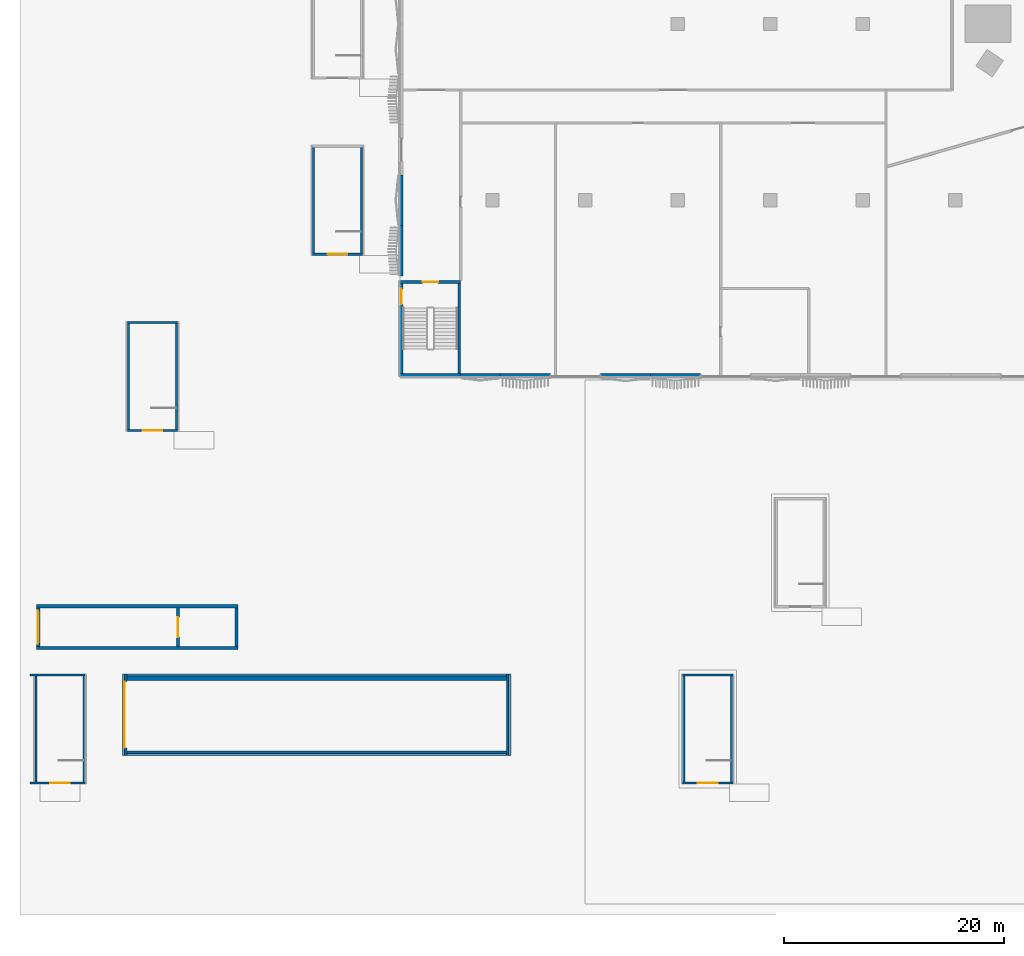
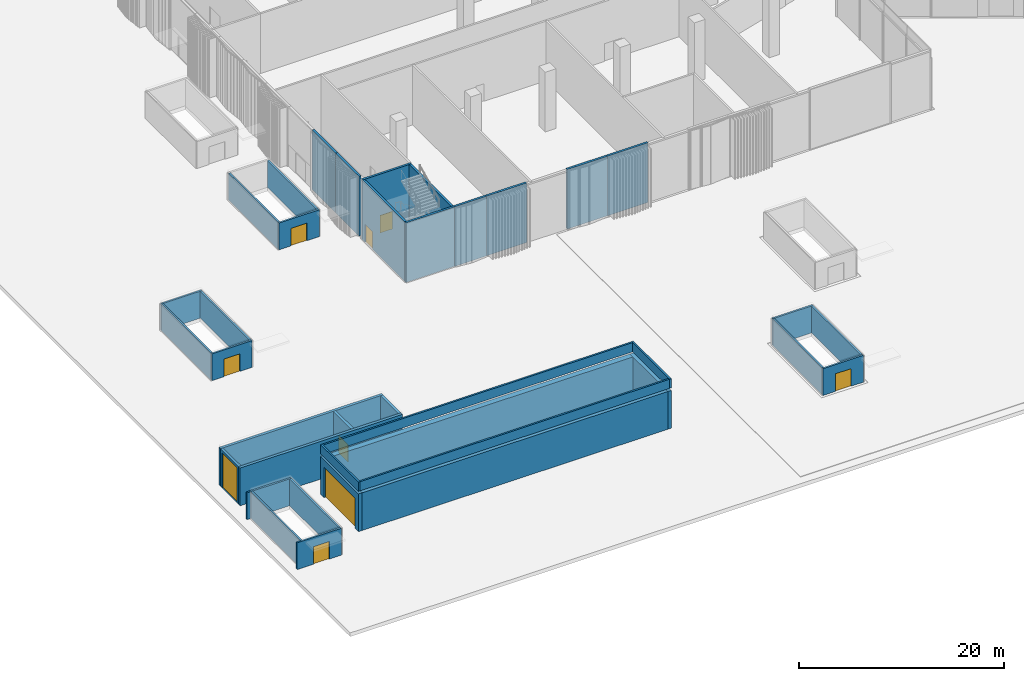
# One storey, part 12 of 41: 38 walls, 9 doors, 9 openings.
"""IFC4 building model written with IfcOpenShell, lengths in metres."""

from ifc_helpers import new_model, si_unit, direction, frame, frame_2d, origin, place, context, subcontext, project, spatial, rectangle, extrude, material, layer, layer_set, type_object, element, fill, save


model = new_model("IFC4")

# Units and contexts
model_context = context("Model", 3, precision=1e-05, world=origin(), true_north=direction((0.0, 1.0)))
body_context = subcontext(model_context, "Body", "Model", "MODEL_VIEW")
ifc_project = project(units=[si_unit("LENGTHUNIT", "METRE"), si_unit("AREAUNIT", "SQUARE_METRE"), si_unit("VOLUMEUNIT", "CUBIC_METRE"), si_unit("PLANEANGLEUNIT", "RADIAN"), si_unit("MASSUNIT", "GRAM", prefix="KILO")], contexts=[model_context])

# Site, building, storey
site_placement = place(None, origin())
site = spatial("IfcSite", under=ifc_project, at=site_placement, CompositionType="ELEMENT")
building_placement = place(site_placement, origin())
building = spatial("IfcBuilding", under=site, at=building_placement, Name="Tamra Quay Hotel Tower", CompositionType="ELEMENT")
storey_placement = place(building_placement, origin())
storey = spatial("IfcBuildingStorey", under=building, at=storey_placement, Name="L00", CompositionType="ELEMENT", Elevation=0.0)

# Walls
ifc_material_1 = material(Name="Concrete M60", Category="concrete")
ifc_layer_1 = layer(ifc_material_1, 0.300048828125)
ifc_layer_set_1 = layer_set([ifc_layer_1], Name="Concrete M60 loading wall 300")
wall_type_1 = type_object("IfcWallType", Name="Concrete M60 loading wall 300", PredefinedType="SOLIDWALL", material=ifc_layer_set_1)
for number, where, z_axis, x_axis, name in (
    (1, (-122.10009765625, -56.64990234375, 0.0), (0.0, 0.0, 1.0), (1.0, 0.0, 0.0), "LW3"),
    (2, (-122.10009765625, -52.85009765625, 0.0), (0.0, 0.0, 1.0), (1.0, 0.0, 0.0), "LW3"),
):
    element("IfcWall", number, at=place(storey_placement, frame(where, z_axis=z_axis, x_axis=x_axis)), inside=storey, type_object=wall_type_1, Name=name, PredefinedType="SOLIDWALL", context=body_context, shape_type="SweptSolid", body=[
        extrude(rectangle(XDim=18.300048828125, YDim=0.300048828125, at=frame_2d((9.14990234375, 0.0))), origin(), (0.0, 0.0, 1.0), 4.5),
    ])

# Wall, opening, door
wall_1_placement = place(storey_placement, frame((-121.949951171875, -56.5, 0.0), z_axis=(0.0, 0.0, 1.0), x_axis=(0.0, 1.0, 0.0)))
wall_1 = element("IfcWall", 3, at=wall_1_placement, inside=storey, type_object=wall_type_1, Name="LW3", PredefinedType="SOLIDWALL", context=body_context, shape_type="SweptSolid", body=[
    extrude(rectangle(XDim=3.5, YDim=0.300048828125, at=frame_2d((1.75, 0.0))), origin(), (0.0, 0.0, 1.0), 4.5),
])
opening_1_placement = place(wall_1_placement, frame((0.25, 0.0, 0.0)))
opening_1 = element("IfcOpeningElement", 4, at=opening_1_placement, cuts=wall_1, Name="Opening LD1", PredefinedType="OPENING", context=body_context, shape_type="SweptSolid", body=[
    extrude(rectangle(XDim=3.0, YDim=4.199951171875, at=frame_2d((1.5, 2.10009765625))), frame((0.0, 0.159912109375, 0.0), z_axis=(0.0, -1.0, 0.0), x_axis=(1.0, 0.0, 0.0)), (0.0, 0.0, 1.0), 0.320068359375),
])
ifc_material_2 = material(Name="Loading bay door 3000 x 4200")
door_type_1 = type_object("IfcDoorType", Name="Loading bay door 3000 x 4200", OperationType="ROLLINGUP", PredefinedType="DOOR", material=ifc_material_2)
door_1_placement = place(opening_1_placement, origin())
door_1 = element("IfcDoor", 5, at=door_1_placement, inside=storey, type_object=door_type_1, Name="LD1", OperationType="ROLLINGUP", OverallHeight=4.199951171875, OverallWidth=3.0, PredefinedType="DOOR", context=body_context, shape_type="SweptSolid", body=[
    extrude(rectangle(XDim=3.0, YDim=4.199951171875, at=frame_2d((1.5, 2.10009765625))), frame((0.0, 0.02490234375, 0.0), z_axis=(0.0, -1.0, 0.0), x_axis=(1.0, 0.0, 0.0)), (0.0, 0.0, 1.0), 0.050048828125),
])
fill(opening_1, door_1)

wall_2_placement = place(storey_placement, frame((-109.25, -56.5, 0.0), z_axis=(0.0, 0.0, 1.0), x_axis=(0.0, 1.0, 0.0)))
wall_2 = element("IfcWall", 6, at=wall_2_placement, inside=storey, type_object=wall_type_1, Name="LW3", PredefinedType="SOLIDWALL", context=body_context, shape_type="SweptSolid", body=[
    extrude(rectangle(XDim=3.5, YDim=0.300048828125, at=frame_2d((1.75, 0.0))), origin(), (0.0, 0.0, 1.0), 4.5),
])
opening_2_placement = place(wall_2_placement, frame((0.85009765625, 0.0, 0.0)))
opening_2 = element("IfcOpeningElement", 7, at=opening_2_placement, cuts=wall_2, Name="Opening PD2", PredefinedType="OPENING", context=body_context, shape_type="SweptSolid", body=[
    extrude(rectangle(XDim=1.800048828125, YDim=2.10009765625, at=frame_2d((0.89990234375, 1.050048828125))), frame((0.0, 0.159912109375, 0.0), z_axis=(0.0, -1.0, 0.0), x_axis=(1.0, 0.0, 0.0)), (0.0, 0.0, 1.0), 0.320068359375),
])
ifc_material_3 = material(Name="Plant door 1800 x 2100")
door_type_2 = type_object("IfcDoorType", Name="Plant door 1800 x 2100", OperationType="DOUBLE_DOOR_SINGLE_SWING", PredefinedType="DOOR", material=ifc_material_3)
door_2_placement = place(opening_2_placement, origin())
door_2 = element("IfcDoor", 8, at=door_2_placement, inside=storey, type_object=door_type_2, Name="PD2", OperationType="DOUBLE_DOOR_SINGLE_SWING", OverallHeight=2.10009765625, OverallWidth=1.800048828125, PredefinedType="DOOR", context=body_context, shape_type="SweptSolid", body=[
    extrude(rectangle(XDim=1.800048828125, YDim=2.10009765625, at=frame_2d((0.89990234375, 1.050048828125))), frame((0.0, 0.02490234375, 0.0), z_axis=(0.0, -1.0, 0.0), x_axis=(1.0, 0.0, 0.0)), (0.0, 0.0, 1.0), 0.050048828125),
])
fill(opening_2, door_2)

# Wall
wall_3_placement = place(storey_placement, frame((-103.949951171875, -56.5, 0.0), z_axis=(0.0, 0.0, 1.0), x_axis=(0.0, 1.0, 0.0)))
element("IfcWall", 9, at=wall_3_placement, inside=storey, type_object=wall_type_1, Name="LW3", PredefinedType="SOLIDWALL", context=body_context, shape_type="SweptSolid", body=[
    extrude(rectangle(XDim=3.5, YDim=0.300048828125, at=frame_2d((1.75, 0.0))), origin(), (0.0, 0.0, 1.0), 4.5),
])

# Wall, opening, door
ifc_layer_2 = layer(ifc_material_1, 0.39990234375)
ifc_layer_set_2 = layer_set([ifc_layer_2], Name="Concrete M60 ramp kerb wall 400")
wall_type_2 = type_object("IfcWallType", Name="Concrete M60 ramp kerb wall 400", PredefinedType="SOLIDWALL", material=ifc_layer_set_2)
wall_4_placement = place(storey_placement, frame((-114.10009765625, -66.39990234375, 0.0), z_axis=(0.0, 0.0, 1.0), x_axis=(0.0, 1.0, 0.0)))
wall_4 = element("IfcWall", 10, at=wall_4_placement, inside=storey, type_object=wall_type_2, Name="RW4", PredefinedType="SOLIDWALL", context=body_context, shape_type="SweptSolid", body=[
    extrude(rectangle(XDim=7.39990234375, YDim=0.39990234375, at=frame_2d((3.699951171875, 0.0))), origin(), (0.0, 0.0, 1.0), 4.5),
])
opening_3_placement = place(wall_4_placement, frame((0.699951171875, 0.0, 0.0)))
opening_3 = element("IfcOpeningElement", 11, at=opening_3_placement, cuts=wall_4, Name="Opening VS1", PredefinedType="OPENING", context=body_context, shape_type="SweptSolid", body=[
    extrude(rectangle(XDim=6.0, YDim=3.60009765625, at=frame_2d((3.0, 1.800048828125))), frame((0.0, 0.2099609375, 0.0), z_axis=(0.0, -1.0, 0.0), x_axis=(1.0, 0.0, 0.0)), (0.0, 0.0, 1.0), 0.419921875),
])
ifc_material_4 = material(Name="Vehicle shutter 6000 x 3600")
door_type_3 = type_object("IfcDoorType", Name="Vehicle shutter 6000 x 3600", OperationType="ROLLINGUP", PredefinedType="DOOR", material=ifc_material_4)
door_3_placement = place(opening_3_placement, origin())
door_3 = element("IfcDoor", 12, at=door_3_placement, inside=storey, type_object=door_type_3, Name="VS1", OperationType="ROLLINGUP", OverallHeight=3.60009765625, OverallWidth=6.0, PredefinedType="DOOR", context=body_context, shape_type="SweptSolid", body=[
    extrude(rectangle(XDim=6.0, YDim=3.60009765625, at=frame_2d((3.0, 1.800048828125))), frame((0.0, 0.02490234375, 0.0), z_axis=(0.0, -1.0, 0.0), x_axis=(1.0, 0.0, 0.0)), (0.0, 0.0, 1.0), 0.050048828125),
])
fill(opening_3, door_3)

# Walls
wall_5_placement = place(storey_placement, frame((-113.89990234375, -66.199951171875, 0.0), z_axis=(0.0, 0.0, 1.0), x_axis=(1.0, 0.0, 0.0)))
element("IfcWall", 13, at=wall_5_placement, inside=storey, type_object=wall_type_2, Name="RW4", PredefinedType="SOLIDWALL", context=body_context, shape_type="SweptSolid", body=[
    extrude(rectangle(XDim=34.45263671875, YDim=0.39990234375, at=frame_2d((17.226318359375, 0.0))), origin(), (0.0, 0.0, 1.0), 4.5),
])
wall_6_placement = place(storey_placement, frame((-79.247314453125, -66.39990234375, 0.0), z_axis=(0.0, 0.0, 1.0), x_axis=(0.0, 1.0, 0.0)))
element("IfcWall", 14, at=wall_6_placement, inside=storey, type_object=wall_type_2, Name="RW4", PredefinedType="SOLIDWALL", context=body_context, shape_type="SweptSolid", body=[
    extrude(rectangle(XDim=7.39990234375, YDim=0.39990234375, at=frame_2d((3.699951171875, 0.0))), origin(), (0.0, 0.0, 1.0), 4.5),
])
ifc_layer_3 = layer(ifc_material_1, 0.60009765625)
ifc_layer_set_3 = layer_set([ifc_layer_3], Name="Concrete M60 ramp kerb wall 600")
wall_type_3 = type_object("IfcWallType", Name="Concrete M60 ramp kerb wall 600", PredefinedType="SOLIDWALL", material=ifc_layer_set_3)
wall_7_placement = place(storey_placement, frame((-113.89990234375, -59.300048828125, 0.0), z_axis=(0.0, 0.0, 1.0), x_axis=(1.0, 0.0, 0.0)))
element("IfcWall", 15, at=wall_7_placement, inside=storey, type_object=wall_type_3, Name="RW6", PredefinedType="SOLIDWALL", context=body_context, shape_type="SweptSolid", body=[
    extrude(rectangle(XDim=34.45263671875, YDim=0.60009765625, at=frame_2d((17.226318359375, 0.0))), origin(), (0.0, 0.0, 1.0), 4.5),
])
ifc_layer_4 = layer(ifc_material_1, 0.199951171875)
ifc_layer_set_4 = layer_set([ifc_layer_4], Name="Concrete M60 roof parapet 200")
wall_type_4 = type_object("IfcWallType", Name="Concrete M60 roof parapet 200", PredefinedType="PARAPET", material=ifc_layer_set_4)
for number, where, z_axis, x_axis, name in (
    (16, (-114.10009765625, -66.300048828125, 4.800048828125), (0.0, 0.0, 1.0), (1.0, 0.0, 0.0), "RP2"),
    (17, (-114.10009765625, -59.10009765625, 4.800048828125), (0.0, 0.0, 1.0), (1.0, 0.0, 0.0), "RP2"),
):
    element("IfcWall", number, at=place(storey_placement, frame(where, z_axis=z_axis, x_axis=x_axis)), inside=storey, type_object=wall_type_4, Name=name, PredefinedType="PARAPET", context=body_context, shape_type="SweptSolid", body=[
        extrude(rectangle(XDim=34.852783203125, YDim=0.199951171875, at=frame_2d((17.42626953125, 0.0))), origin(), (0.0, 0.0, 1.0), 1.099853515625),
    ])
for number, where, z_axis, x_axis, name in (
    (18, (-114.199951171875, -66.39990234375, 4.800048828125), (0.0, 0.0, 1.0), (0.0, 1.0, 0.0), "RP2"),
    (19, (-79.147216796875, -66.39990234375, 4.800048828125), (0.0, 0.0, 1.0), (0.0, 1.0, 0.0), "RP2"),
):
    element("IfcWall", number, at=place(storey_placement, frame(where, z_axis=z_axis, x_axis=x_axis)), inside=storey, type_object=wall_type_4, Name=name, PredefinedType="PARAPET", context=body_context, shape_type="SweptSolid", body=[
        extrude(rectangle(XDim=7.39990234375, YDim=0.199951171875, at=frame_2d((3.699951171875, 0.0))), origin(), (0.0, 0.0, 1.0), 1.099853515625),
    ])
ifc_material_5 = material(Name="Concrete M70", Category="concrete")
ifc_layer_5 = layer(ifc_material_5, 0.199951171875)
ifc_layer_set_5 = layer_set([ifc_layer_5], Name="Concrete M70 core wall 200")
wall_type_5 = type_object("IfcWallType", Name="Concrete M70 core wall 200", PredefinedType="SHEAR", material=ifc_layer_set_5)
wall_8_placement = place(storey_placement, frame((-89.10009765625, -31.875, 0.0), z_axis=(0.0, 0.0, 1.0), x_axis=(1.0, 0.0, 0.0)))
element("IfcWall", 20, at=wall_8_placement, inside=storey, type_object=wall_type_5, Name="CW2", PredefinedType="SHEAR", context=body_context, shape_type="SweptSolid", body=[
    extrude(rectangle(XDim=5.5, YDim=0.25, at=frame_2d((2.75, 0.0))), origin(), (0.0, 0.0, 1.0), 7.10009765625),
])

# Wall, opening, door
wall_9_placement = place(storey_placement, frame((-89.10009765625, -23.425048828125, 0.0), z_axis=(0.0, 0.0, 1.0), x_axis=(1.0, 0.0, 0.0)))
wall_9 = element("IfcWall", 21, at=wall_9_placement, inside=storey, type_object=wall_type_5, Name="CW2", PredefinedType="SHEAR", context=body_context, shape_type="SweptSolid", body=[
    extrude(rectangle(XDim=5.5, YDim=0.25, at=frame_2d((2.75, 0.0))), origin(), (0.0, 0.0, 1.0), 7.10009765625),
])
opening_4_placement = place(wall_9_placement, frame((2.050048828125, 0.0, 0.0)))
opening_4 = element("IfcOpeningElement", 22, at=opening_4_placement, cuts=wall_9, Name="Opening FD2", PredefinedType="OPENING", context=body_context, shape_type="SweptSolid", body=[
    extrude(rectangle(XDim=1.39990234375, YDim=2.10009765625, at=frame_2d((0.699951171875, 1.050048828125))), frame((0.0, 0.135009765625, 0.0), z_axis=(0.0, -1.0, 0.0), x_axis=(1.0, 0.0, 0.0)), (0.0, 0.0, 1.0), 0.27001953125),
])
ifc_material_6 = material(Name="Core door FD2 1400x2100 RH")
door_type_4 = type_object("IfcDoorType", Name="Core door FD2 1400x2100 RH", OperationType="NOTDEFINED", PredefinedType="DOOR", material=ifc_material_6)
door_4_placement = place(opening_4_placement, origin())
door_4 = element("IfcDoor", 23, at=door_4_placement, inside=storey, type_object=door_type_4, Name="FD2", OperationType="SINGLE_SWING_RIGHT", OverallHeight=2.10009765625, OverallWidth=1.39990234375, PredefinedType="DOOR", context=body_context, shape_type="SweptSolid", body=[
    extrude(rectangle(XDim=1.39990234375, YDim=2.10009765625, at=frame_2d((0.699951171875, 1.050048828125))), frame((0.0, 0.02490234375, 0.0), z_axis=(0.0, -1.0, 0.0), x_axis=(1.0, 0.0, 0.0)), (0.0, 0.0, 1.0), 0.050048828125),
])
fill(opening_4, door_4)

wall_10_placement = place(storey_placement, frame((-88.97509765625, -31.75, 0.0), z_axis=(0.0, 0.0, 1.0), x_axis=(0.0, 1.0, 0.0)))
wall_10 = element("IfcWall", 24, at=wall_10_placement, inside=storey, type_object=wall_type_5, Name="CW2", PredefinedType="SHEAR", context=body_context, shape_type="SweptSolid", body=[
    extrude(rectangle(XDim=8.199951171875, YDim=0.25, at=frame_2d((4.10009765625, 0.0))), origin(), (0.0, 0.0, 1.0), 7.10009765625),
])
opening_5_placement = place(wall_10_placement, frame((6.300048828125, 0.0, 0.0)))
opening_5 = element("IfcOpeningElement", 25, at=opening_5_placement, cuts=wall_10, Name="Opening FD2", PredefinedType="OPENING", context=body_context, shape_type="SweptSolid", body=[
    extrude(rectangle(XDim=1.39990234375, YDim=2.10009765625, at=frame_2d((0.699951171875, 1.050048828125))), frame((0.0, 0.135009765625, 0.0), z_axis=(0.0, -1.0, 0.0), x_axis=(1.0, 0.0, 0.0)), (0.0, 0.0, 1.0), 0.27001953125),
])
ifc_material_7 = material(Name="Core door FD2 1400x2100 LH")
door_type_5 = type_object("IfcDoorType", Name="Core door FD2 1400x2100 LH", OperationType="NOTDEFINED", PredefinedType="DOOR", material=ifc_material_7)
door_5_placement = place(opening_5_placement, origin())
door_5 = element("IfcDoor", 26, at=door_5_placement, inside=storey, type_object=door_type_5, Name="FD2", OperationType="SINGLE_SWING_LEFT", OverallHeight=2.10009765625, OverallWidth=1.39990234375, PredefinedType="DOOR", context=body_context, shape_type="SweptSolid", body=[
    extrude(rectangle(XDim=1.39990234375, YDim=2.10009765625, at=frame_2d((0.699951171875, 1.050048828125))), frame((0.0, 0.02490234375, 0.0), z_axis=(0.0, -1.0, 0.0), x_axis=(1.0, 0.0, 0.0)), (0.0, 0.0, 1.0), 0.050048828125),
])
fill(opening_5, door_5)

# Walls
wall_11_placement = place(storey_placement, frame((-83.72509765625, -31.75, 0.0), z_axis=(0.0, 0.0, 1.0), x_axis=(0.0, 1.0, 0.0)))
element("IfcWall", 27, at=wall_11_placement, inside=storey, type_object=wall_type_5, Name="CW2", PredefinedType="SHEAR", context=body_context, shape_type="SweptSolid", body=[
    extrude(rectangle(XDim=8.199951171875, YDim=0.25, at=frame_2d((4.10009765625, 0.0))), origin(), (0.0, 0.0, 1.0), 7.10009765625),
])
ifc_layer_6 = layer(ifc_material_5, 0.199951171875)
ifc_layer_set_6 = layer_set([ifc_layer_6], Name="Concrete M70 stair enclosure wall 200")
wall_type_6 = type_object("IfcWallType", Name="Concrete M70 stair enclosure wall 200", PredefinedType="SOLIDWALL", material=ifc_layer_set_6)
for number, where, z_axis, x_axis, name in (
    (28, (-113.75, -36.800048828125, 0.0), (0.0, 0.0, 1.0), (0.0, 1.0, 0.0), "SEW"),
    (29, (-109.39990234375, -36.800048828125, 0.0), (0.0, 0.0, 1.0), (0.0, 1.0, 0.0), "SEW"),
):
    element("IfcWall", number, at=place(storey_placement, frame(where, z_axis=z_axis, x_axis=x_axis)), inside=storey, type_object=wall_type_6, Name=name, PredefinedType="SOLIDWALL", context=body_context, shape_type="SweptSolid", body=[
        extrude(rectangle(XDim=9.60009765625, YDim=0.199951171875, at=frame_2d((4.800048828125, 0.0))), origin(), (0.0, 0.0, 1.0), 3.199951171875),
    ])

# Wall, opening, door
wall_12_placement = place(storey_placement, frame((-109.300048828125, -36.89990234375, 0.0), z_axis=(0.0, 0.0, 1.0), x_axis=(-1.0, 0.0, 0.0)))
wall_12 = element("IfcWall", 30, at=wall_12_placement, inside=storey, type_object=wall_type_6, Name="SEW", PredefinedType="SOLIDWALL", context=body_context, shape_type="SweptSolid", body=[
    extrude(rectangle(XDim=4.550048828125, YDim=0.199951171875, at=frame_2d((2.27490234375, 0.0))), origin(), (0.0, 0.0, 1.0), 3.199951171875),
])
opening_6_placement = place(wall_12_placement, frame((1.375, 0.0, 0.0)))
opening_6 = element("IfcOpeningElement", 31, at=opening_6_placement, cuts=wall_12, Name="Opening SD2", PredefinedType="OPENING", context=body_context, shape_type="SweptSolid", body=[
    extrude(rectangle(XDim=1.800048828125, YDim=2.10009765625, at=frame_2d((0.89990234375, 1.050048828125))), frame((0.0, 0.10986328125, 0.0), z_axis=(0.0, -1.0, 0.0), x_axis=(1.0, 0.0, 0.0)), (0.0, 0.0, 1.0), 0.219970703125),
])
ifc_material_8 = material(Name="Stair discharge door 1800 x 2100")
door_type_6 = type_object("IfcDoorType", Name="Stair discharge door 1800 x 2100", OperationType="DOUBLE_DOOR_SINGLE_SWING", PredefinedType="DOOR", material=ifc_material_8)
door_6_placement = place(opening_6_placement, origin())
door_6 = element("IfcDoor", 32, at=door_6_placement, inside=storey, type_object=door_type_6, Name="SD2", OperationType="DOUBLE_DOOR_SINGLE_SWING", OverallHeight=2.10009765625, OverallWidth=1.800048828125, PredefinedType="DOOR", context=body_context, shape_type="SweptSolid", body=[
    extrude(rectangle(XDim=1.800048828125, YDim=2.10009765625, at=frame_2d((0.89990234375, 1.050048828125))), frame((0.0, 0.02490234375, 0.0), z_axis=(0.0, -1.0, 0.0), x_axis=(1.0, 0.0, 0.0)), (0.0, 0.0, 1.0), 0.050048828125),
])
fill(opening_6, door_6)

# Walls
wall_13_placement = place(storey_placement, frame((-113.85009765625, -27.10009765625, 0.0), z_axis=(0.0, 0.0, 1.0), x_axis=(1.0, 0.0, 0.0)))
element("IfcWall", 33, at=wall_13_placement, inside=storey, type_object=wall_type_6, Name="SEW", PredefinedType="SOLIDWALL", context=body_context, shape_type="SweptSolid", body=[
    extrude(rectangle(XDim=4.550048828125, YDim=0.199951171875, at=frame_2d((2.27490234375, 0.0))), origin(), (0.0, 0.0, 1.0), 3.199951171875),
])
for number, where, z_axis, x_axis, name in (
    (34, (-96.949951171875, -20.800048828125, 0.0), (0.0, 0.0, 1.0), (0.0, 1.0, 0.0), "SEW"),
    (35, (-92.60009765625, -20.800048828125, 0.0), (0.0, 0.0, 1.0), (0.0, 1.0, 0.0), "SEW"),
):
    element("IfcWall", number, at=place(storey_placement, frame(where, z_axis=z_axis, x_axis=x_axis)), inside=storey, type_object=wall_type_6, Name=name, PredefinedType="SOLIDWALL", context=body_context, shape_type="SweptSolid", body=[
        extrude(rectangle(XDim=9.60009765625, YDim=0.199951171875, at=frame_2d((4.800048828125, 0.0))), origin(), (0.0, 0.0, 1.0), 3.199951171875),
    ])

# Wall, opening, door
wall_14_placement = place(storey_placement, frame((-92.5, -20.89990234375, 0.0), z_axis=(0.0, 0.0, 1.0), x_axis=(-1.0, 0.0, 0.0)))
wall_14 = element("IfcWall", 36, at=wall_14_placement, inside=storey, type_object=wall_type_6, Name="SEW", PredefinedType="SOLIDWALL", context=body_context, shape_type="SweptSolid", body=[
    extrude(rectangle(XDim=4.550048828125, YDim=0.199951171875, at=frame_2d((2.27490234375, 0.0))), origin(), (0.0, 0.0, 1.0), 3.199951171875),
])
opening_7_placement = place(wall_14_placement, frame((1.375, 0.0, 0.0)))
opening_7 = element("IfcOpeningElement", 37, at=opening_7_placement, cuts=wall_14, Name="Opening SD2", PredefinedType="OPENING", context=body_context, shape_type="SweptSolid", body=[
    extrude(rectangle(XDim=1.800048828125, YDim=2.10009765625, at=frame_2d((0.89990234375, 1.050048828125))), frame((0.0, 0.10986328125, 0.0), z_axis=(0.0, -1.0, 0.0), x_axis=(1.0, 0.0, 0.0)), (0.0, 0.0, 1.0), 0.219970703125),
])
door_7_placement = place(opening_7_placement, origin())
door_7 = element("IfcDoor", 38, at=door_7_placement, inside=storey, type_object=door_type_6, Name="SD2", OperationType="DOUBLE_DOOR_SINGLE_SWING", OverallHeight=2.10009765625, OverallWidth=1.800048828125, PredefinedType="DOOR", context=body_context, shape_type="SweptSolid", body=[
    extrude(rectangle(XDim=1.800048828125, YDim=2.10009765625, at=frame_2d((0.89990234375, 1.050048828125))), frame((0.0, 0.02490234375, 0.0), z_axis=(0.0, -1.0, 0.0), x_axis=(1.0, 0.0, 0.0)), (0.0, 0.0, 1.0), 0.050048828125),
])
fill(opening_7, door_7)

# Walls
for number, where, z_axis, x_axis, name in (
    (39, (-63.35009765625, -68.800048828125, 0.0), (0.0, 0.0, 1.0), (0.0, 1.0, 0.0), "SEW"),
    (40, (-59.0, -68.800048828125, 0.0), (0.0, 0.0, 1.0), (0.0, 1.0, 0.0), "SEW"),
):
    element("IfcWall", number, at=place(storey_placement, frame(where, z_axis=z_axis, x_axis=x_axis)), inside=storey, type_object=wall_type_6, Name=name, PredefinedType="SOLIDWALL", context=body_context, shape_type="SweptSolid", body=[
        extrude(rectangle(XDim=9.60009765625, YDim=0.199951171875, at=frame_2d((4.800048828125, 0.0))), origin(), (0.0, 0.0, 1.0), 3.199951171875),
    ])

# Wall, opening, door
wall_15_placement = place(storey_placement, frame((-58.89990234375, -68.89990234375, 0.0), z_axis=(0.0, 0.0, 1.0), x_axis=(-1.0, 0.0, 0.0)))
wall_15 = element("IfcWall", 41, at=wall_15_placement, inside=storey, type_object=wall_type_6, Name="SEW", PredefinedType="SOLIDWALL", context=body_context, shape_type="SweptSolid", body=[
    extrude(rectangle(XDim=4.550048828125, YDim=0.199951171875, at=frame_2d((2.27490234375, 0.0))), origin(), (0.0, 0.0, 1.0), 3.199951171875),
])
opening_8_placement = place(wall_15_placement, frame((1.375, 0.0, 0.0)))
opening_8 = element("IfcOpeningElement", 42, at=opening_8_placement, cuts=wall_15, Name="Opening SD2", PredefinedType="OPENING", context=body_context, shape_type="SweptSolid", body=[
    extrude(rectangle(XDim=1.800048828125, YDim=2.10009765625, at=frame_2d((0.89990234375, 1.050048828125))), frame((0.0, 0.10986328125, 0.0), z_axis=(0.0, -1.0, 0.0), x_axis=(1.0, 0.0, 0.0)), (0.0, 0.0, 1.0), 0.219970703125),
])
door_8_placement = place(opening_8_placement, origin())
door_8 = element("IfcDoor", 43, at=door_8_placement, inside=storey, type_object=door_type_6, Name="SD2", OperationType="DOUBLE_DOOR_SINGLE_SWING", OverallHeight=2.10009765625, OverallWidth=1.800048828125, PredefinedType="DOOR", context=body_context, shape_type="SweptSolid", body=[
    extrude(rectangle(XDim=1.800048828125, YDim=2.10009765625, at=frame_2d((0.89990234375, 1.050048828125))), frame((0.0, 0.02490234375, 0.0), z_axis=(0.0, -1.0, 0.0), x_axis=(1.0, 0.0, 0.0)), (0.0, 0.0, 1.0), 0.050048828125),
])
fill(opening_8, door_8)

# Walls
wall_16_placement = place(storey_placement, frame((-63.449951171875, -59.10009765625, 0.0), z_axis=(0.0, 0.0, 1.0), x_axis=(1.0, 0.0, 0.0)))
element("IfcWall", 44, at=wall_16_placement, inside=storey, type_object=wall_type_6, Name="SEW", PredefinedType="SOLIDWALL", context=body_context, shape_type="SweptSolid", body=[
    extrude(rectangle(XDim=4.550048828125, YDim=0.199951171875, at=frame_2d((2.27490234375, 0.0))), origin(), (0.0, 0.0, 1.0), 3.199951171875),
])
for number, where, z_axis, x_axis, name in (
    (45, (-122.14990234375, -68.800048828125, 0.0), (0.0, 0.0, 1.0), (0.0, 1.0, 0.0), "SEW"),
    (46, (-117.800048828125, -68.800048828125, 0.0), (0.0, 0.0, 1.0), (0.0, 1.0, 0.0), "SEW"),
):
    element("IfcWall", number, at=place(storey_placement, frame(where, z_axis=z_axis, x_axis=x_axis)), inside=storey, type_object=wall_type_6, Name=name, PredefinedType="SOLIDWALL", context=body_context, shape_type="SweptSolid", body=[
        extrude(rectangle(XDim=9.60009765625, YDim=0.199951171875, at=frame_2d((4.800048828125, 0.0))), origin(), (0.0, 0.0, 1.0), 3.199951171875),
    ])

# Wall, opening, door
wall_17_placement = place(storey_placement, frame((-117.699951171875, -68.89990234375, 0.0), z_axis=(0.0, 0.0, 1.0), x_axis=(-1.0, 0.0, 0.0)))
wall_17 = element("IfcWall", 47, at=wall_17_placement, inside=storey, type_object=wall_type_6, Name="SEW", PredefinedType="SOLIDWALL", context=body_context, shape_type="SweptSolid", body=[
    extrude(rectangle(XDim=5.0, YDim=0.199951171875, at=frame_2d((2.5, 0.0))), origin(), (0.0, 0.0, 1.0), 3.199951171875),
])
opening_9_placement = place(wall_17_placement, frame((1.375, 0.0, 0.0)))
opening_9 = element("IfcOpeningElement", 48, at=opening_9_placement, cuts=wall_17, Name="Opening SD2", PredefinedType="OPENING", context=body_context, shape_type="SweptSolid", body=[
    extrude(rectangle(XDim=1.800048828125, YDim=2.10009765625, at=frame_2d((0.89990234375, 1.050048828125))), frame((0.0, 0.10986328125, 0.0), z_axis=(0.0, -1.0, 0.0), x_axis=(1.0, 0.0, 0.0)), (0.0, 0.0, 1.0), 0.219970703125),
])
door_9_placement = place(opening_9_placement, origin())
door_9 = element("IfcDoor", 49, at=door_9_placement, inside=storey, type_object=door_type_6, Name="SD2", OperationType="DOUBLE_DOOR_SINGLE_SWING", OverallHeight=2.10009765625, OverallWidth=1.800048828125, PredefinedType="DOOR", context=body_context, shape_type="SweptSolid", body=[
    extrude(rectangle(XDim=1.800048828125, YDim=2.10009765625, at=frame_2d((0.89990234375, 1.050048828125))), frame((0.0, 0.02490234375, 0.0), z_axis=(0.0, -1.0, 0.0), x_axis=(1.0, 0.0, 0.0)), (0.0, 0.0, 1.0), 0.050048828125),
])
fill(opening_9, door_9)

# Walls
wall_18_placement = place(storey_placement, frame((-122.699951171875, -59.10009765625, 0.0), z_axis=(0.0, 0.0, 1.0), x_axis=(1.0, 0.0, 0.0)))
element("IfcWall", 50, at=wall_18_placement, inside=storey, type_object=wall_type_6, Name="SEW", PredefinedType="SOLIDWALL", context=body_context, shape_type="SweptSolid", body=[
    extrude(rectangle(XDim=5.0, YDim=0.199951171875, at=frame_2d((2.5, 0.0))), origin(), (0.0, 0.0, 1.0), 3.199951171875),
])
ifc_material_9 = material(Name="Blockwork masonry plastered", Category="masonry")
ifc_layer_7 = layer(ifc_material_9, 0.25)
ifc_layer_set_7 = layer_set([ifc_layer_7], Name="EXTERNAL WALL 250")
wall_type_7 = type_object("IfcWallType", Name="EXTERNAL WALL 250", PredefinedType="SOLIDWALL", material=ifc_layer_set_7)
wall_19_placement = place(storey_placement, frame((-88.97509765625, -18.28564453125, 0.0), z_axis=(0.0, 0.0, 1.0), x_axis=(0.0, 1.0, 0.0)))
element("IfcWall", 51, at=wall_19_placement, inside=storey, type_object=wall_type_7, Name="EW1", PredefinedType="SOLIDWALL", context=body_context, shape_type="SweptSolid", body=[
    extrude(rectangle(XDim=4.5712890625, YDim=0.25, at=frame_2d((2.28564453125, 0.0))), origin(), (0.0, 0.0, 1.0), 7.10009765625),
])
wall_20_placement = place(storey_placement, frame((-88.97509765625, -22.857177734375, 0.0), z_axis=(0.0, 0.0, 1.0), x_axis=(0.0, 1.0, 0.0)))
element("IfcWall", 52, at=wall_20_placement, inside=storey, type_object=wall_type_7, Name="EW1", PredefinedType="SOLIDWALL", context=body_context, shape_type="SweptSolid", body=[
    extrude(rectangle(XDim=4.571533203125, YDim=0.25, at=frame_2d((2.28564453125, 0.0))), origin(), (0.0, 0.0, 1.0), 7.10009765625),
])
wall_21_placement = place(storey_placement, frame((-80.0078125, -31.875, 0.0), z_axis=(0.0, 0.0, 1.0), x_axis=(-1.0, 0.0, 0.0)))
element("IfcWall", 53, at=wall_21_placement, inside=storey, type_object=wall_type_7, Name="EW1", PredefinedType="SOLIDWALL", context=body_context, shape_type="SweptSolid", body=[
    extrude(rectangle(XDim=3.59228515625, YDim=0.25, at=frame_2d((1.796142578125, 0.0))), origin(), (0.0, 0.0, 1.0), 7.10009765625),
])
wall_22_placement = place(storey_placement, frame((-75.46142578125, -31.875, 0.0), z_axis=(0.0, 0.0, 1.0), x_axis=(-1.0, 0.0, 0.0)))
element("IfcWall", 54, at=wall_22_placement, inside=storey, type_object=wall_type_7, Name="EW1", PredefinedType="SOLIDWALL", context=body_context, shape_type="SweptSolid", body=[
    extrude(rectangle(XDim=4.54638671875, YDim=0.25, at=frame_2d((2.273193359375, 0.0))), origin(), (0.0, 0.0, 1.0), 7.10009765625),
])
for number, where, z_axis, x_axis, name in (
    (55, (-66.369140625, -31.875, 0.0), (0.0, 0.0, 1.0), (-1.0, 0.0, 0.0), "EW1"),
    (56, (-61.822998046875, -31.875, 0.0), (0.0, 0.0, 1.0), (-1.0, 0.0, 0.0), "EW1"),
):
    element("IfcWall", number, at=place(storey_placement, frame(where, z_axis=z_axis, x_axis=x_axis)), inside=storey, type_object=wall_type_7, Name=name, PredefinedType="SOLIDWALL", context=body_context, shape_type="SweptSolid", body=[
        extrude(rectangle(XDim=4.546142578125, YDim=0.25, at=frame_2d((2.27294921875, 0.0))), origin(), (0.0, 0.0, 1.0), 7.10009765625),
    ])

save(model, "model.ifc")
